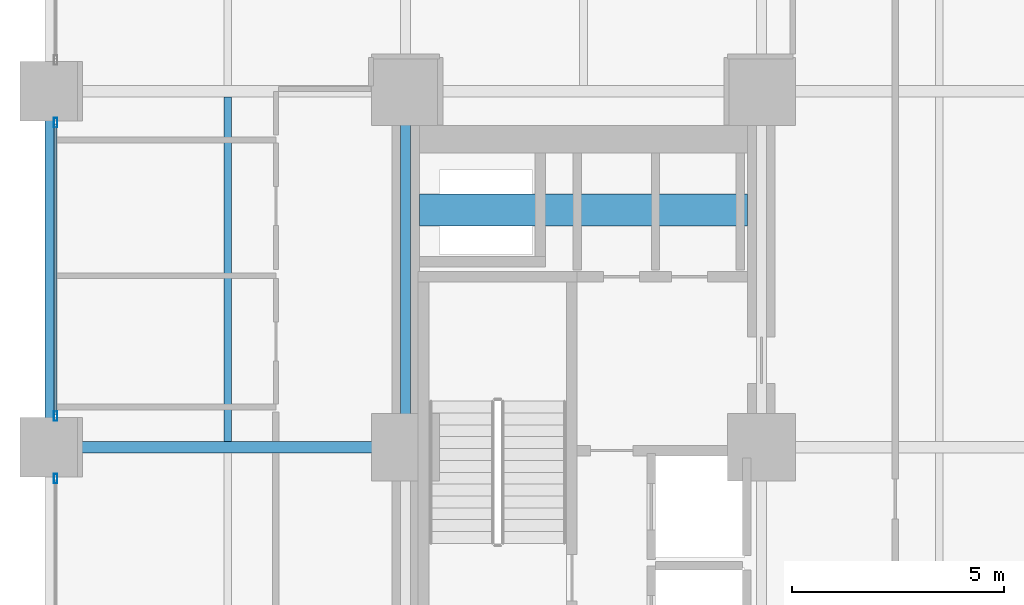
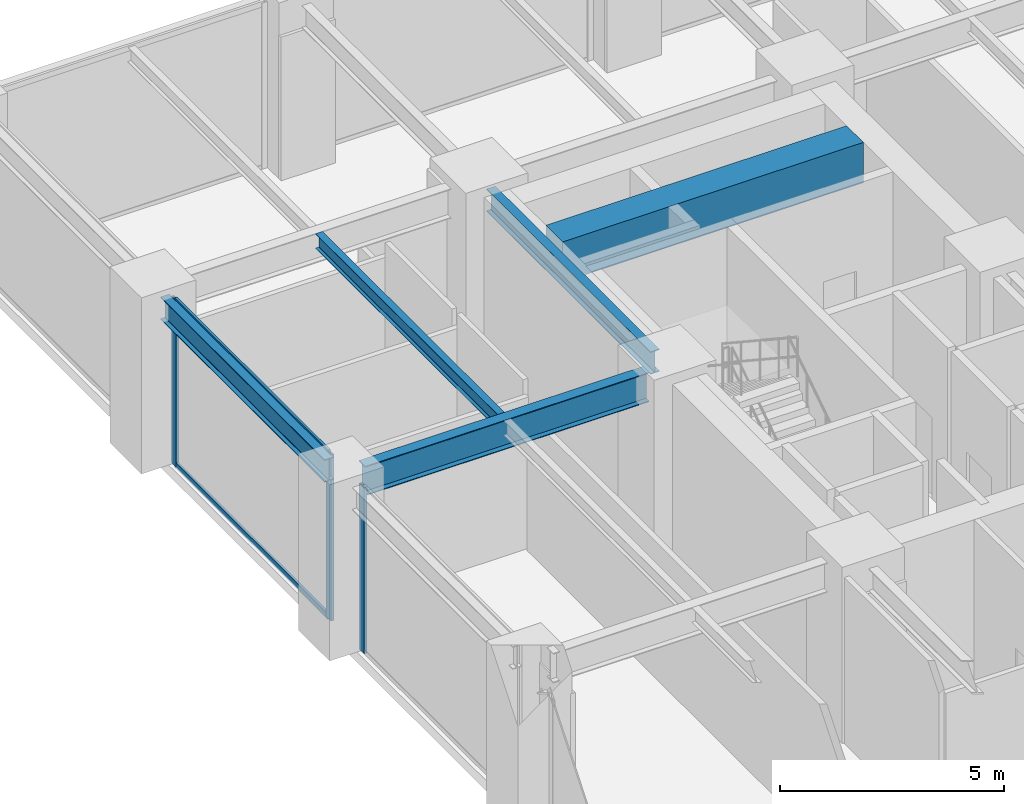
# One storey, part 9 of 23: 5 beams, 5 members, 2 elements without a shape of their own.
"""IFC4 building model written with IfcOpenShell, lengths in metres."""

from ifc_helpers import new_model, si_unit, direction, frame, origin, origin_2d, place, context, subcontext, project, spatial, rectangle, hollow_rectangle, i_section, extrude, material, layer, layer_set, material_profile, profile_set, type_object, element, aggregate, save


model = new_model("IFC4")

# Units and contexts
model_context = context("Model", 3, precision=1e-05, world=origin(), true_north=direction((0.0, 1.0)))
body_context = subcontext(model_context, "Body", "Model", "MODEL_VIEW")
ifc_project = project(units=[si_unit("LENGTHUNIT", "METRE"), si_unit("AREAUNIT", "SQUARE_METRE"), si_unit("VOLUMEUNIT", "CUBIC_METRE"), si_unit("PLANEANGLEUNIT", "RADIAN"), si_unit("MASSUNIT", "GRAM", prefix="KILO")], contexts=[model_context])

# Site, building, storey
site_placement = place(None, origin())
site = spatial("IfcSite", under=ifc_project, at=site_placement, CompositionType="ELEMENT")
building_placement = place(site_placement, origin())
building = spatial("IfcBuilding", under=site, at=building_placement, Name="Nerrivon Quay Data Exchange", CompositionType="ELEMENT")
storey_placement = place(building_placement, frame((0.0, 0.0, 5.39990234375)))
storey = spatial("IfcBuildingStorey", under=building, at=storey_placement, Name="L01", CompositionType="ELEMENT", Elevation=5.39990234375)

# Beams
ifc_material_1 = material(Name="Concrete S65 (65 MPa)", Category="concrete")
ifc_material_profile_1 = material_profile(ifc_material_1, rectangle(XDim=0.75, YDim=1.10009765625, at=origin_2d()), Name="RC-CB-750x1100")
ifc_profile_set_1 = profile_set([ifc_material_profile_1], Name="Concrete S65 (65 MPa)")
beam_type_1 = type_object("IfcBeamType", Name="BM-CB1-750x1100", PredefinedType="LINTEL", material=ifc_profile_set_1)
beam_1_placement = place(storey_placement, frame((8.72509765625, 39.199951171875, 3.97509765625), z_axis=(1.0, 0.0, 0.0), x_axis=(0.0, 1.0, 0.0)))
element("IfcBeam", 1, at=beam_1_placement, inside=storey, type_object=beam_type_1, Name="L01 West Core Coupling Beam", PredefinedType="LINTEL", context=body_context, shape_type="SweptSolid", body=[
    extrude(rectangle(XDim=0.75, YDim=1.10009765625, at=origin_2d()), origin(), (0.0, 0.0, 1.0), 7.75),
])
ifc_material_2 = material(Name="Steel Grade 350", Category="steel")
ifc_material_profile_2 = material_profile(ifc_material_2, i_section(OverallWidth=0.22900390625, OverallDepth=0.612060546875, WebThickness=0.011962890625, FlangeThickness=0.01953125, FilletRadius=0.013916015625, at=origin_2d()), Name="610UB125")
ifc_profile_set_2 = profile_set([ifc_material_profile_2], Name="Steel Grade 350")
beam_type_2 = type_object("IfcBeamType", Name="BM-G1-610UB125", PredefinedType="BEAM", material=ifc_profile_set_2)
for number, where, z_axis, x_axis, name in (
    (2, (0.0, 34.139892578125, 4.218994140625), (0.0, 1.0, 0.0), (-1.0, 0.0, 0.0), "L01 NS Girder X=0.0 (33.6..42.0)"),
    (3, (8.39990234375, 34.139892578125, 4.218994140625), (0.0, 1.0, 0.0), (-1.0, 0.0, 0.0), "L01 NS Girder X=8.4 (33.6..42.0)"),
):
    element("IfcBeam", number, at=place(storey_placement, frame(where, z_axis=z_axis, x_axis=x_axis)), inside=storey, type_object=beam_type_2, Name=name, PredefinedType="BEAM", context=body_context, shape_type="SweptSolid", body=[
        extrude(i_section(OverallWidth=0.22900390625, OverallDepth=0.612060546875, WebThickness=0.011962890625, FlangeThickness=0.01953125, FilletRadius=0.013916015625, at=origin_2d()), origin(), (0.0, 0.0, 1.0), 7.320068359375),
    ])
ifc_material_profile_3 = material_profile(ifc_material_2, i_section(OverallWidth=0.27490234375, OverallDepth=0.800048828125, WebThickness=0.010009765625, FlangeThickness=0.02001953125, at=origin_2d()), Name="800WB146")
ifc_profile_set_3 = profile_set([ifc_material_profile_3], Name="Steel Grade 350")
beam_type_3 = type_object("IfcBeamType", Name="BM-G8-800WB146", PredefinedType="BEAM", material=ifc_profile_set_3)
beam_2_placement = place(storey_placement, frame((0.5400390625, 33.60009765625, 4.125), z_axis=(1.0, 0.0, 0.0), x_axis=(0.0, 1.0, 0.0)))
element("IfcBeam", 4, at=beam_2_placement, inside=storey, type_object=beam_type_3, Name="L01 EW Girder Y=33.6 (0.0..8.4)", PredefinedType="BEAM", context=body_context, shape_type="SweptSolid", body=[
    extrude(i_section(OverallWidth=0.27490234375, OverallDepth=0.800048828125, WebThickness=0.010009765625, FlangeThickness=0.02001953125, at=origin_2d()), origin(), (0.0, 0.0, 1.0), 7.320068359375),
])
ifc_material_profile_4 = material_profile(ifc_material_2, i_section(OverallWidth=0.177978515625, OverallDepth=0.403076171875, WebThickness=0.007568359375, FlangeThickness=0.010986328125, FilletRadius=0.011474609375, at=origin_2d()), Name="410UB53.7")
ifc_profile_set_4 = profile_set([ifc_material_profile_4], Name="Steel Grade 350")
beam_type_4 = type_object("IfcBeamType", Name="BM-J2-410UB54", PredefinedType="JOIST", material=ifc_profile_set_4)
beam_3_placement = place(storey_placement, frame((4.199951171875, 33.737548828125, 4.323486328125), z_axis=(0.0, 1.0, 0.0), x_axis=(-1.0, 0.0, 0.0)))
element("IfcBeam", 5, at=beam_3_placement, inside=storey, type_object=beam_type_4, Name="L01 Secondary Joist X=4.2 (33.6..42.0)", PredefinedType="JOIST", context=body_context, shape_type="SweptSolid", body=[
    extrude(i_section(OverallWidth=0.177978515625, OverallDepth=0.403076171875, WebThickness=0.007568359375, FlangeThickness=0.010986328125, FilletRadius=0.011474609375, at=origin_2d()), origin(), (0.0, 0.0, 1.0), 8.125),
])

# Curtain wall, member
ifc_material_3 = material(Name="Anodised aluminium 6063-T6", Category="aluminium")
ifc_layer = layer(ifc_material_3, 0.239990234375)
ifc_layer_set = layer_set([ifc_layer], Name="Anodised aluminium 6063-T6")
curtain_wall_type = type_object("IfcCurtainWallType", Name="CW-SYS-03", PredefinedType="NOTDEFINED", material=ifc_layer_set)
curtain_wall_1_placement = place(storey_placement, origin())
curtain_wall_1 = element("IfcCurtainWall", 6, at=curtain_wall_1_placement, inside=storey, type_object=curtain_wall_type, Name="L01 Unitised Curtain Wall 4", PredefinedType="NOTDEFINED")
ifc_material_profile_5 = material_profile(ifc_material_3, hollow_rectangle(XDim=0.074951171875, YDim=0.219970703125, WallThickness=0.00390625, at=origin_2d()), Name="ALU-MULL-220x75")
ifc_profile_set_5 = profile_set([ifc_material_profile_5], Name="Anodised aluminium 6063-T6")
member_type_1 = type_object("IfcMemberType", Name="CWM-220x75", PredefinedType="MULLION", material=ifc_profile_set_5)
member_1_placement = place(storey_placement, frame((0.139892578125, 32.862548828125, 0.0), z_axis=(0.0, 0.0, 1.0), x_axis=(-1.0, 0.0, 0.0)))
member_1 = element("IfcMember", 7, at=member_1_placement, type_object=member_type_1, Name="CW03 mullion 2", PredefinedType="MULLION", context=body_context, shape_type="SweptSolid", body=[
    extrude(hollow_rectangle(XDim=0.074951171875, YDim=0.219970703125, WallThickness=0.00390625, at=origin_2d()), origin(), (0.0, 0.0, 1.0), 4.525146484375),
])
aggregate(curtain_wall_1, [member_1])

# Curtain wall, members
curtain_wall_2_placement = place(storey_placement, origin())
curtain_wall_2 = element("IfcCurtainWall", 8, at=curtain_wall_2_placement, inside=storey, type_object=curtain_wall_type, Name="L01 Unitised Curtain Wall 5", PredefinedType="NOTDEFINED")
member_2_placement = place(storey_placement, frame((0.139892578125, 34.33740234375, 0.0), z_axis=(0.0, 0.0, 1.0), x_axis=(-1.0, 0.0, 0.0)))
member_2 = element("IfcMember", 9, at=member_2_placement, type_object=member_type_1, Name="CW03 mullion 1", PredefinedType="MULLION", context=body_context, shape_type="SweptSolid", body=[
    extrude(hollow_rectangle(XDim=0.074951171875, YDim=0.219970703125, WallThickness=0.00390625, at=origin_2d()), origin(), (0.0, 0.0, 1.0), 4.525146484375),
])
member_3_placement = place(storey_placement, frame((0.139892578125, 41.262451171875, 0.0), z_axis=(0.0, 0.0, 1.0), x_axis=(-1.0, 0.0, 0.0)))
member_3 = element("IfcMember", 10, at=member_3_placement, type_object=member_type_1, Name="CW03 mullion 2", PredefinedType="MULLION", context=body_context, shape_type="SweptSolid", body=[
    extrude(hollow_rectangle(XDim=0.074951171875, YDim=0.219970703125, WallThickness=0.00390625, at=origin_2d()), origin(), (0.0, 0.0, 1.0), 4.525146484375),
])
ifc_material_profile_6 = material_profile(ifc_material_3, hollow_rectangle(XDim=0.06494140625, YDim=0.14990234375, WallThickness=0.00341796875, at=origin_2d()), Name="ALU-TRAN-150x65")
ifc_profile_set_6 = profile_set([ifc_material_profile_6], Name="Anodised aluminium 6063-T6")
member_type_2 = type_object("IfcMemberType", Name="CWT-150x65", PredefinedType="USERDEFINED", material=ifc_profile_set_6)
member_4_placement = place(storey_placement, frame((0.139892578125, 34.375, 0.03271484375), z_axis=(0.0, 1.0, 0.0), x_axis=(-1.0, 0.0, 0.0)))
member_4 = element("IfcMember", 11, at=member_4_placement, type_object=member_type_2, Name="CW03 transom 1.1", ObjectType="TRANSOM", PredefinedType="USERDEFINED", context=body_context, shape_type="SweptSolid", body=[
    extrude(hollow_rectangle(XDim=0.06494140625, YDim=0.14990234375, WallThickness=0.00341796875, at=origin_2d()), origin(), (0.0, 0.0, 1.0), 6.85009765625),
])
member_5_placement = place(storey_placement, frame((0.139892578125, 34.375, 4.49267578125), z_axis=(0.0, 1.0, 0.0), x_axis=(-1.0, 0.0, 0.0)))
member_5 = element("IfcMember", 12, at=member_5_placement, type_object=member_type_2, Name="CW03 transom 1.2", ObjectType="TRANSOM", PredefinedType="USERDEFINED", context=body_context, shape_type="SweptSolid", body=[
    extrude(hollow_rectangle(XDim=0.06494140625, YDim=0.14990234375, WallThickness=0.00341796875, at=origin_2d()), origin(), (0.0, 0.0, 1.0), 6.85009765625),
])
aggregate(curtain_wall_2, [member_2, member_3, member_4, member_5])

save(model, "model.ifc")
